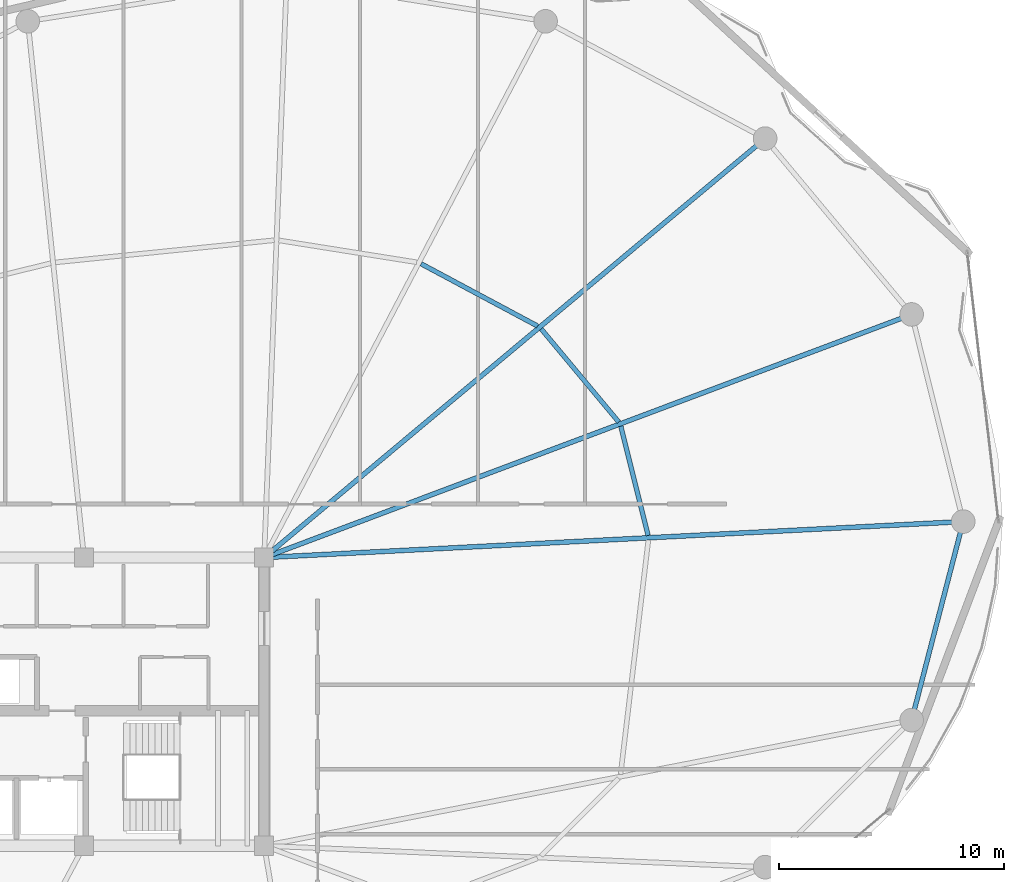
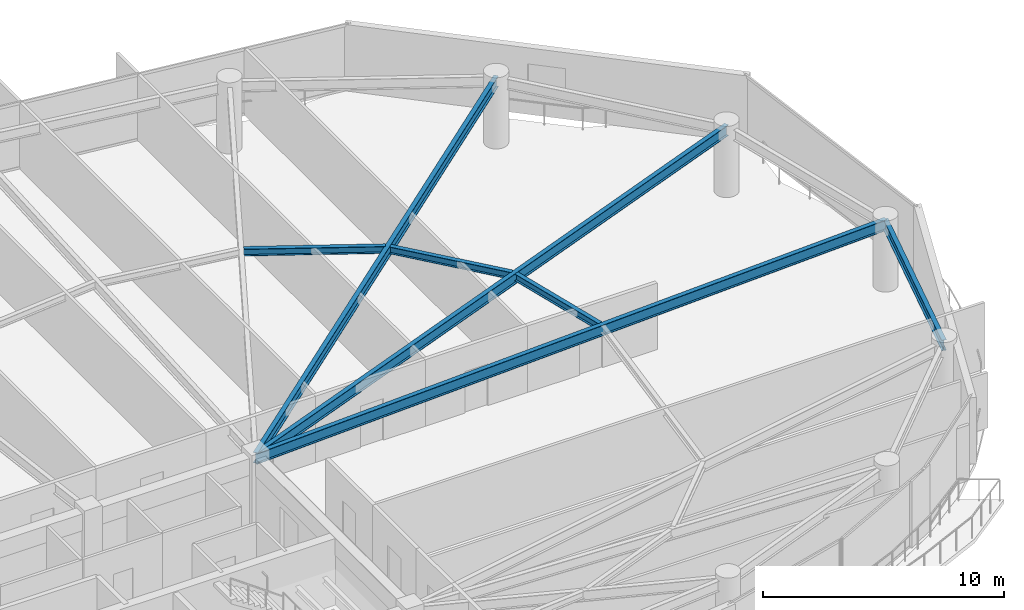
# One storey, part 15 of 31: 7 beams.
"""IFC4 building model written with IfcOpenShell, lengths in metres."""

import ifcopenshell
import ifcopenshell.guid

model = None  # the IFC model being written
_history = None  # IfcOwnerHistory: only IFC2X3 demands one
_inside = {}  # id of a spatial element -> (the spatial element, [elements in it])
_under = {}  # id of a project, library or spatial element -> (it, [spatial elements below it])
_declared = {}  # id of a project -> (the project, [libraries it declares])
_typed = {}  # id of a type object -> (the type object, [elements of that type])
_made_of = {}  # id of a material, layer set ... -> (it, [elements and type objects made of it])


def new_model(schema):
    """Start an empty IFC model of exactly this schema.

    Asked for "IFC4X3", IfcOpenShell would pick the latest addendum, in which some entities
    have other attributes; the version numbers below select the first issue.
    IFC2X3 requires an IfcOwnerHistory on every rooted entity: one is made here for all.
    """
    global model, _history
    if schema == "IFC4X3":
        model = ifcopenshell.file(schema_version=(4, 3, 0, 0))
    else:
        model = ifcopenshell.file(schema=schema)
    _inside.clear()
    _under.clear()
    _declared.clear()
    _typed.clear()
    _made_of.clear()
    _history = None
    if model.schema == "IFC2X3":
        org = make("IfcOrganization", Name="unknown")
        user = make(
            "IfcPersonAndOrganization",
            ThePerson=make("IfcPerson", FamilyName="unknown"),
            TheOrganization=org,
        )
        app = make(
            "IfcApplication",
            ApplicationDeveloper=org,
            Version="unknown",
            ApplicationFullName="unknown",
            ApplicationIdentifier="unknown",
        )
        _history = make(
            "IfcOwnerHistory",
            OwningUser=user,
            OwningApplication=app,
            ChangeAction="ADDED",
            CreationDate=0,
        )
    return model


def make(cls, **values):
    """One entity of the class cls with the attributes given. An attribute that is None is left unset."""
    return model.create_entity(
        cls, **{name: value for name, value in values.items() if value is not None}
    )


def rooted(cls, **values):
    """An entity with a GlobalId (a new one), such as an element, a storey or a relation."""
    return make(cls, GlobalId=ifcopenshell.guid.new(), OwnerHistory=_history, **values)


def si_unit(unit_type, name, prefix=None):
    """IfcSIUnit, for example si_unit("LENGTHUNIT", "METRE", prefix="MILLI")."""
    return make("IfcSIUnit", UnitType=unit_type, Prefix=prefix, Name=name)


def assignment(units):
    """IfcUnitAssignment: the units of a project."""
    return None if units is None else make("IfcUnitAssignment", Units=units)


def point(xyz):
    """IfcCartesianPoint."""
    return None if xyz is None else make("IfcCartesianPoint", Coordinates=xyz)


def direction(xyz):
    """IfcDirection."""
    return None if xyz is None else make("IfcDirection", DirectionRatios=xyz)


def frame(location, z_axis=None, x_axis=None):
    """IfcAxis2Placement3D, a coordinate frame: its origin and axes. An axis left out is left unset."""
    return make(
        "IfcAxis2Placement3D",
        Location=point(location),
        Axis=direction(z_axis),
        RefDirection=direction(x_axis),
    )


def frame_2d(location, x_axis=None):
    """IfcAxis2Placement2D, a coordinate frame in the plane: its origin and x axis."""
    return make(
        "IfcAxis2Placement2D", Location=point(location), RefDirection=direction(x_axis)
    )


def origin():
    """The frame at (0, 0, 0) with its axes left unset."""
    return frame((0.0, 0.0, 0.0))


def origin_2d():
    """The frame at (0, 0) in the plane with its x axis left unset."""
    return frame_2d((0.0, 0.0))


def place(relative_to, where):
    """IfcLocalPlacement: puts the frame where relative to a parent placement (None: the world)."""
    return make(
        "IfcLocalPlacement", PlacementRelTo=relative_to, RelativePlacement=where
    )


def context(
    kind, dimensions, precision=None, world=None, true_north=None, identifier=None
):
    """IfcGeometricRepresentationContext, for example the 3D "Model" context."""
    return make(
        "IfcGeometricRepresentationContext",
        ContextIdentifier=identifier,
        ContextType=kind,
        CoordinateSpaceDimension=dimensions,
        Precision=precision,
        WorldCoordinateSystem=world,
        TrueNorth=true_north,
    )


def subcontext(parent, identifier, kind, view, scale=None):
    """IfcGeometricRepresentationSubContext, for example "Body" below "Model"."""
    return make(
        "IfcGeometricRepresentationSubContext",
        ContextIdentifier=identifier,
        ContextType=kind,
        ParentContext=parent,
        TargetScale=scale,
        TargetView=view,
    )


def project(units=None, contexts=None):
    """IfcProject with its units and contexts."""
    return rooted(
        "IfcProject",
        Name="project",
        RepresentationContexts=contexts,
        UnitsInContext=assignment(units),
    )


def spatial(cls, under=None, at=None, **own):
    """A site, building, storey or space (cls), placed at a placement, below another one or the project."""
    s = rooted(cls, ObjectPlacement=at, **own)
    if under is not None:
        _under.setdefault(under.id(), (under, []))[1].append(s)
    return s


def profile(cls, at=None, kind="AREA", **sizes):
    """A parametric profile (cls). Its sizes go by their IFC names, for example OverallWidth=200.0."""
    return make(cls, ProfileType=kind, Position=at, **sizes)


def i_section(**sizes):
    """IfcIShapeProfileDef."""
    return profile("IfcIShapeProfileDef", **sizes)


def extrude(swept, where, along, depth):
    """IfcExtrudedAreaSolid: the profile swept, set in the frame where, extruded along a direction by depth."""
    return make(
        "IfcExtrudedAreaSolid",
        SweptArea=swept,
        Position=where,
        ExtrudedDirection=direction(along),
        Depth=depth,
    )


def shape(context_of_items, identifier, shape_type, items):
    """IfcShapeRepresentation: the items that make up one representation, for example the "Body"."""
    return make(
        "IfcShapeRepresentation",
        ContextOfItems=context_of_items,
        RepresentationIdentifier=identifier,
        RepresentationType=shape_type,
        Items=items,
    )


def material(Name=None, Category=None):
    """IfcMaterial."""
    return make("IfcMaterial", Name=Name, Category=Category)


def material_profile(
    of_material, cross_section, Name=None, Category=None, Priority=None
):
    """IfcMaterialProfile: a cross section and its material."""
    return make(
        "IfcMaterialProfile",
        Name=Name,
        Material=of_material,
        Profile=cross_section,
        Priority=Priority,
        Category=Category,
    )


def profile_set(profiles, Name=None, composite=None):
    """IfcMaterialProfileSet."""
    return make(
        "IfcMaterialProfileSet",
        Name=Name,
        MaterialProfiles=profiles,
        CompositeProfile=composite,
    )


def made_of(thing, what):
    """Note that an element or type object is made of a material, layer set ...; save() writes the relation."""
    if what is not None:
        _made_of.setdefault(what.id(), (what, []))[1].append(thing)
    return thing


def type_object(cls, material=None, **own):
    """A type object (cls), such as IfcWallType, which elements share."""
    return made_of(rooted(cls, **own), material)


def element(
    cls,
    number,
    at=None,
    inside=None,
    cuts=None,
    type_object=None,
    material=None,
    context=None,
    identifier="Body",
    shape_type=None,
    held_by="IfcProductDefinitionShape",
    body=None,
    shapes=None,
    **own,
):
    """One element of the class cls, such as IfcWall. Its Tag is "e" and its number.

    at: its placement. inside: the storey or other place that contains it. cuts: it is an
    opening in that element (IfcRelVoidsElement). A single representation is given by context,
    identifier, shape_type and body (its items); several are given by shapes. held_by: the class
    of the entity that holds the representations. save() writes the other relations.
    """
    e = rooted(cls, Tag="e%d" % number, ObjectPlacement=at, **own)
    if body is not None:
        shapes = [shape(context, identifier, shape_type, body)]
    if shapes is not None:
        e.Representation = make(held_by, Representations=shapes)
    if inside is not None:
        _inside.setdefault(inside.id(), (inside, []))[1].append(e)
    if cuts is not None:
        rooted(
            "IfcRelVoidsElement", RelatingBuildingElement=cuts, RelatedOpeningElement=e
        )
    if type_object is not None:
        _typed.setdefault(type_object.id(), (type_object, []))[1].append(e)
    return made_of(e, material)


def aggregate(whole, parts):
    """IfcRelAggregates: a whole, such as a stair, and the parts it consists of."""
    return rooted("IfcRelAggregates", RelatingObject=whole, RelatedObjects=parts)


def save(model, path):
    """Write the relations noted so far, then the file.

    IfcRelAggregates (storeys below a building ...), IfcRelContainedInSpatialStructure (elements
    in a storey), IfcRelDefinesByType, IfcRelAssociatesMaterial and IfcRelDeclares: one each for
    every whole, place, type object, material and project.
    """
    for whole, parts in _under.values():
        aggregate(whole, parts)
    for where, things in _inside.values():
        rooted(
            "IfcRelContainedInSpatialStructure",
            RelatedElements=things,
            RelatingStructure=where,
        )
    for kind, things in _typed.values():
        rooted("IfcRelDefinesByType", RelatedObjects=things, RelatingType=kind)
    for what, things in _made_of.values():
        rooted("IfcRelAssociatesMaterial", RelatedObjects=things, RelatingMaterial=what)
    for by, libraries in _declared.values():
        rooted("IfcRelDeclares", RelatingContext=by, RelatedDefinitions=libraries)
    model.write(path)


model = new_model("IFC4")

# Units and contexts
model_context = context("Model", 3, precision=1e-05, world=origin(), true_north=direction((0.0, 1.0)))
body_context = subcontext(model_context, "Body", "Model", "MODEL_VIEW")
ifc_project = project(units=[si_unit("LENGTHUNIT", "METRE"), si_unit("AREAUNIT", "SQUARE_METRE"), si_unit("VOLUMEUNIT", "CUBIC_METRE"), si_unit("PLANEANGLEUNIT", "RADIAN"), si_unit("MASSUNIT", "GRAM", prefix="KILO")], contexts=[model_context])

# Site, building, storey
site_placement = place(None, origin())
site = spatial("IfcSite", under=ifc_project, at=site_placement, CompositionType="ELEMENT")
building_placement = place(site_placement, origin())
building = spatial("IfcBuilding", under=site, at=building_placement, Name="Kazevale Care Tower and Concert Hall", CompositionType="ELEMENT")
storey_placement = place(building_placement, frame((0.0, 0.0, 235.199951171875)))
storey = spatial("IfcBuildingStorey", under=building, at=storey_placement, Name="L62", CompositionType="ELEMENT", Elevation=235.199951171875)

# Beams
ifc_material = material(Name="Steel ASTM A572 Gr 50", Category="steel")
ifc_material_profile_1 = material_profile(ifc_material, i_section(OverallWidth=0.2119140625, OverallDepth=0.5439453125, WebThickness=0.01318359375, FlangeThickness=0.021240234375, at=origin_2d()), Name="W530x123")
ifc_profile_set_1 = profile_set([ifc_material_profile_1], Name="Steel ASTM A572 Gr 50")
beam_type_1 = type_object("IfcBeamType", Name="Radial Floor Girder W530x123", PredefinedType="BEAM", material=ifc_profile_set_1)
beam_1_placement = place(storey_placement, frame((44.0, 36.39990234375, 3.088134765625), z_axis=(0.998674821251, 0.051464564506, 0.0), x_axis=(-0.051464564506, 0.998674821251, 0.0)))
element("IfcBeam", 1, at=beam_1_placement, inside=storey, type_object=beam_type_1, Name="beam:L62:rad:01", PredefinedType="BEAM", context=body_context, shape_type="SweptSolid", body=[
    extrude(i_section(OverallWidth=0.2119140625, OverallDepth=0.5439453125, WebThickness=0.01318359375, FlangeThickness=0.021240234375, at=origin_2d()), origin(), (0.0, 0.0, 1.0), 31.09130859375),
])
beam_2_placement = place(storey_placement, frame((44.0, 36.39990234375, 3.088134765625), z_axis=(0.936168070124, 0.351552762015, 0.0), x_axis=(-0.351552762015, 0.936168070124, 0.0)))
element("IfcBeam", 2, at=beam_2_placement, inside=storey, type_object=beam_type_1, Name="beam:L62:rad:02", PredefinedType="BEAM", context=body_context, shape_type="SweptSolid", body=[
    extrude(i_section(OverallWidth=0.2119140625, OverallDepth=0.5439453125, WebThickness=0.01318359375, FlangeThickness=0.021240234375, at=origin_2d()), origin(), (0.0, 0.0, 1.0), 30.720947265625),
])
beam_3_placement = place(storey_placement, frame((44.0, 36.39990234375, 3.088134765625), z_axis=(0.767059624015, 0.64157582031, 0.0), x_axis=(-0.64157582031, 0.767059624015, 0.0)))
element("IfcBeam", 3, at=beam_3_placement, inside=storey, type_object=beam_type_1, Name="beam:L62:rad:03", PredefinedType="BEAM", context=body_context, shape_type="SweptSolid", body=[
    extrude(i_section(OverallWidth=0.2119140625, OverallDepth=0.5439453125, WebThickness=0.01318359375, FlangeThickness=0.021240234375, at=origin_2d()), origin(), (0.0, 0.0, 1.0), 29.0068359375),
])
ifc_material_profile_2 = material_profile(ifc_material, i_section(OverallWidth=0.205078125, OverallDepth=0.35400390625, WebThickness=0.009521484375, FlangeThickness=0.016845703125, at=origin_2d()), Name="W360x79")
ifc_profile_set_2 = profile_set([ifc_material_profile_2], Name="Steel ASTM A572 Gr 50")
beam_type_2 = type_object("IfcBeamType", Name="Secondary Floor Joist W360x79", PredefinedType="JOIST", material=ifc_profile_set_2)
beam_4_placement = place(storey_placement, frame((61.052001953125, 37.382080078125, 3.18310546875), z_axis=(-0.241594204931, 0.970377369967, 0.0), x_axis=(-0.970377369967, -0.241594204931, 0.0)))
element("IfcBeam", 4, at=beam_4_placement, inside=storey, type_object=beam_type_2, Name="beam:L62:joist:01", PredefinedType="JOIST", context=body_context, shape_type="SweptSolid", body=[
    extrude(i_section(OverallWidth=0.205078125, OverallDepth=0.35400390625, WebThickness=0.009521484375, FlangeThickness=0.016845703125, at=origin_2d()), origin(), (0.0, 0.0, 1.0), 5.004150390625),
])
beam_5_placement = place(storey_placement, frame((59.7509765625, 42.4208984375, 3.18310546875), z_axis=(-0.640295940788, 0.768128314939, 0.0), x_axis=(-0.768128314939, -0.640295940788, 0.0)))
element("IfcBeam", 5, at=beam_5_placement, inside=storey, type_object=beam_type_2, Name="beam:L62:joist:02", PredefinedType="JOIST", context=body_context, shape_type="SweptSolid", body=[
    extrude(i_section(OverallWidth=0.205078125, OverallDepth=0.35400390625, WebThickness=0.009521484375, FlangeThickness=0.016845703125, at=origin_2d()), origin(), (0.0, 0.0, 1.0), 5.3818359375),
])
beam_6_placement = place(storey_placement, frame((56.14501953125, 46.68505859375, 3.18310546875), z_axis=(-0.881943890935, 0.471354403016, 0.0), x_axis=(-0.471354403016, -0.881943890935, 0.0)))
element("IfcBeam", 6, at=beam_6_placement, inside=storey, type_object=beam_type_2, Name="beam:L62:joist:03", PredefinedType="JOIST", context=body_context, shape_type="SweptSolid", body=[
    extrude(i_section(OverallWidth=0.205078125, OverallDepth=0.35400390625, WebThickness=0.009521484375, FlangeThickness=0.016845703125, at=origin_2d()), origin(), (0.0, 0.0, 1.0), 5.869873046875),
])
ifc_material_profile_3 = material_profile(ifc_material, i_section(OverallWidth=0.208984375, OverallDepth=0.532958984375, WebThickness=0.01025390625, FlangeThickness=0.015625, at=origin_2d()), Name="W530x92")
ifc_profile_set_3 = profile_set([ifc_material_profile_3], Name="Steel ASTM A572 Gr 50")
beam_type_3 = type_object("IfcBeamType", Name="Upper Ring Beam W530x92", PredefinedType="BEAM", material=ifc_profile_set_3)
beam_7_placement = place(storey_placement, frame((72.760009765625, 29.179931640625, 3.093505859375), z_axis=(0.251307095899, 0.96790740443, 0.0), x_axis=(-0.96790740443, 0.251307095899, 0.0)))
element("IfcBeam", 7, at=beam_7_placement, inside=storey, type_object=beam_type_3, Name="beam:L62:ring:16", PredefinedType="BEAM", context=body_context, shape_type="SweptSolid", body=[
    extrude(i_section(OverallWidth=0.208984375, OverallDepth=0.532958984375, WebThickness=0.01025390625, FlangeThickness=0.015625, at=origin_2d()), origin(), (0.0, 0.0, 1.0), 9.112548828125),
])

save(model, "model.ifc")
